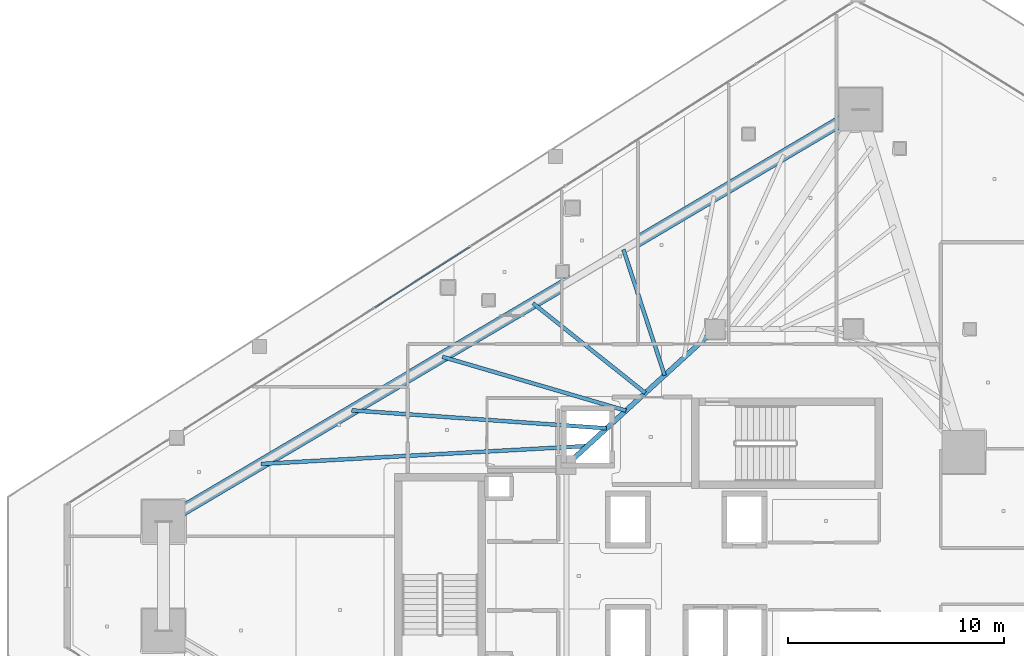
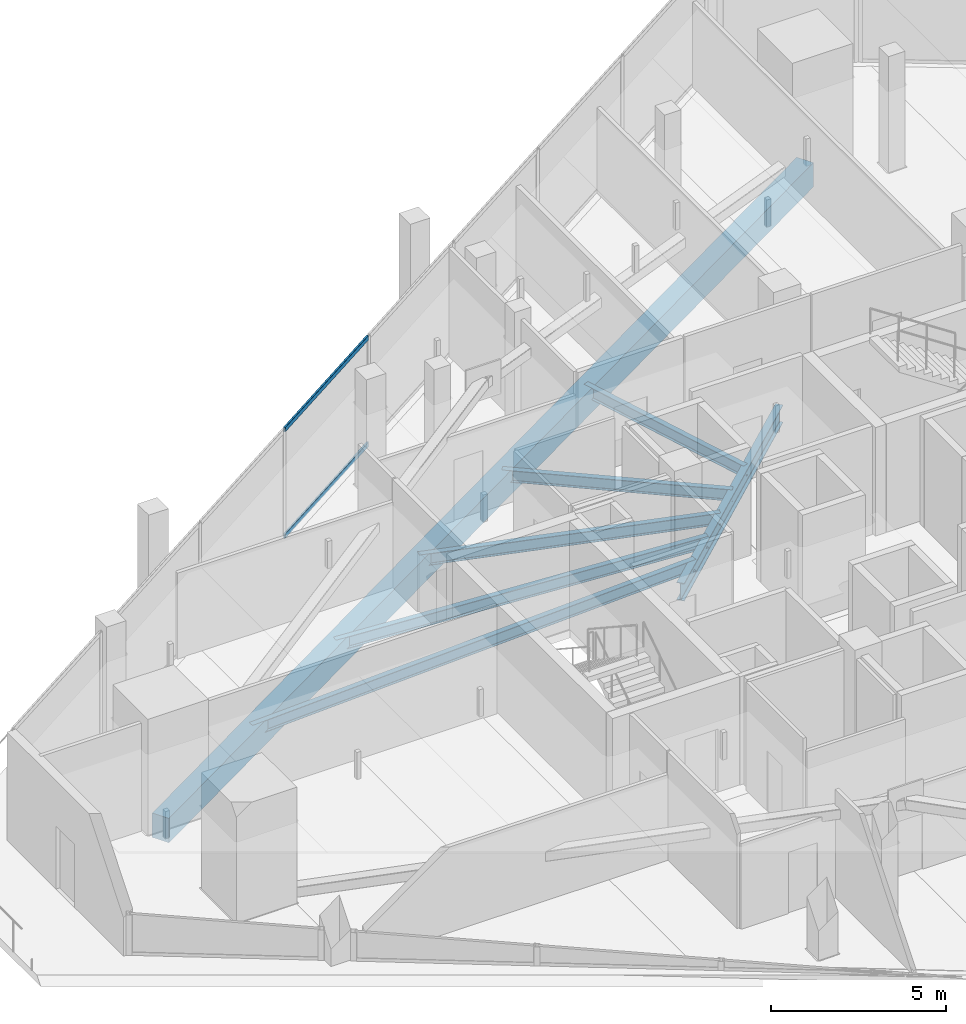
# One storey, part 19 of 43: 7 beams, 2 members, 1 element without a shape of its own.
"""IFC4 building model written with IfcOpenShell, lengths in metres."""

from ifc_helpers import new_model, si_unit, direction, frame, origin, origin_2d, place, context, subcontext, project, spatial, rectangle, hollow_rectangle, i_section, extrude, material, layer, layer_set, material_profile, profile_set, type_object, element, aggregate, save


model = new_model("IFC4")

# Units and contexts
model_context = context("Model", 3, precision=1e-05, world=origin(), true_north=direction((0.0, 1.0)))
body_context = subcontext(model_context, "Body", "Model", "MODEL_VIEW")
ifc_project = project(units=[si_unit("LENGTHUNIT", "METRE"), si_unit("AREAUNIT", "SQUARE_METRE"), si_unit("VOLUMEUNIT", "CUBIC_METRE"), si_unit("PLANEANGLEUNIT", "RADIAN"), si_unit("MASSUNIT", "GRAM", prefix="KILO")], contexts=[model_context])

# Site, building, storey
site_placement = place(None, origin())
site = spatial("IfcSite", under=ifc_project, at=site_placement, CompositionType="ELEMENT")
building_placement = place(site_placement, origin())
building = spatial("IfcBuilding", under=site, at=building_placement, Name="Qorvath Tower", CompositionType="ELEMENT")
storey_placement = place(building_placement, frame((0.0, 0.0, 213.14990234375)))
storey = spatial("IfcBuildingStorey", under=building, at=storey_placement, Name="L49", CompositionType="ELEMENT", Elevation=213.14990234375)

# Beams
ifc_material_1 = material(Name="Steel ASTM A992 Grade 50", Category="steel")
ifc_material_profile_1 = material_profile(ifc_material_1, i_section(OverallWidth=0.22998046875, OverallDepth=0.616943359375, WebThickness=0.01318359375, FlangeThickness=0.022216796875, FilletRadius=0.014892578125, at=origin_2d()), Name="W24x94")
ifc_profile_set_1 = profile_set([ifc_material_profile_1], Name="Steel ASTM A992 Grade 50")
beam_type_1 = type_object("IfcBeamType", Name="BM-FG6", PredefinedType="BEAM", material=ifc_profile_set_1)
beam_1_placement = place(storey_placement, frame((-30.5, 5.14990234375, -0.57861328125), z_axis=(0.73847813985, 0.6742774184, 0.0), x_axis=(-0.6742774184, 0.73847813985, 0.0)))
element("IfcBeam", 1, at=beam_1_placement, inside=storey, type_object=beam_type_1, Name="Core Ring Girder CC5-CC1 L49", PredefinedType="BEAM", context=body_context, shape_type="SweptSolid", body=[
    extrude(i_section(OverallWidth=0.22998046875, OverallDepth=0.616943359375, WebThickness=0.01318359375, FlangeThickness=0.022216796875, FilletRadius=0.014892578125, at=origin_2d()), origin(), (0.0, 0.0, 1.0), 9.343505859375),
])
ifc_material_2 = material(Name="Steel ASTM A992 Grade 50", Category="steel")
ifc_material_profile_2 = material_profile(ifc_material_2, i_section(OverallWidth=0.177978515625, OverallDepth=0.406005859375, WebThickness=0.0078125, FlangeThickness=0.0126953125, FilletRadius=0.010986328125, at=origin_2d()), Name="W16x40")
ifc_profile_set_2 = profile_set([ifc_material_profile_2], Name="Steel ASTM A992 Grade 50")
beam_type_2 = type_object("IfcBeamType", Name="BM-FJ3", PredefinedType="JOIST", material=ifc_profile_set_2)
beam_2_placement = place(storey_placement, frame((-29.533935546875, 6.031982421875, -0.472900390625), z_axis=(-0.998494745044, -0.054847462293, 0.0), x_axis=(0.054847462293, -0.998494745044, 0.0)))
element("IfcBeam", 2, at=beam_2_placement, inside=storey, type_object=beam_type_2, Name="Composite Floor Joist NW1 L49", PredefinedType="JOIST", context=body_context, shape_type="SweptSolid", body=[
    extrude(i_section(OverallWidth=0.177978515625, OverallDepth=0.406005859375, WebThickness=0.0078125, FlangeThickness=0.0126953125, FilletRadius=0.010986328125, at=origin_2d()), origin(), (0.0, 0.0, 1.0), 15.138671875),
])
beam_3_placement = place(storey_placement, frame((-28.636962890625, 6.85107421875, -0.472900390625), z_axis=(-0.997520476731, 0.070376832146, 0.0), x_axis=(-0.070376832146, -0.997520476731, 0.0)))
element("IfcBeam", 3, at=beam_3_placement, inside=storey, type_object=beam_type_2, Name="Composite Floor Joist NW2 L49", PredefinedType="JOIST", context=body_context, shape_type="SweptSolid", body=[
    extrude(i_section(OverallWidth=0.177978515625, OverallDepth=0.406005859375, WebThickness=0.0078125, FlangeThickness=0.0126953125, FilletRadius=0.010986328125, at=origin_2d()), origin(), (0.0, 0.0, 1.0), 11.84326171875),
])
beam_4_placement = place(storey_placement, frame((-27.739990234375, 7.669921875, -0.472900390625), z_axis=(-0.959544992264, 0.281555337049, 0.0), x_axis=(-0.281555337049, -0.959544992264, 0.0)))
element("IfcBeam", 4, at=beam_4_placement, inside=storey, type_object=beam_type_2, Name="Composite Floor Joist NW3 L49", PredefinedType="JOIST", context=body_context, shape_type="SweptSolid", body=[
    extrude(i_section(OverallWidth=0.177978515625, OverallDepth=0.406005859375, WebThickness=0.0078125, FlangeThickness=0.0126953125, FilletRadius=0.010986328125, at=origin_2d()), origin(), (0.0, 0.0, 1.0), 8.87060546875),
])
beam_5_placement = place(storey_placement, frame((-26.843017578125, 8.489013671875, -0.472900390625), z_axis=(-0.781336553339, 0.624109918537, 0.0), x_axis=(-0.624109918537, -0.781336553339, 0.0)))
element("IfcBeam", 5, at=beam_5_placement, inside=storey, type_object=beam_type_2, Name="Composite Floor Joist NW4 L49", PredefinedType="JOIST", context=body_context, shape_type="SweptSolid", body=[
    extrude(i_section(OverallWidth=0.177978515625, OverallDepth=0.406005859375, WebThickness=0.0078125, FlangeThickness=0.0126953125, FilletRadius=0.010986328125, at=origin_2d()), origin(), (0.0, 0.0, 1.0), 6.667724609375),
])
beam_6_placement = place(storey_placement, frame((-25.946044921875, 9.30810546875, -0.472900390625), z_axis=(-0.311228747452, 0.950335028692, 0.0), x_axis=(-0.950335028692, -0.311228747452, 0.0)))
element("IfcBeam", 6, at=beam_6_placement, inside=storey, type_object=beam_type_2, Name="Composite Floor Joist NW5 L49", PredefinedType="JOIST", context=body_context, shape_type="SweptSolid", body=[
    extrude(i_section(OverallWidth=0.177978515625, OverallDepth=0.406005859375, WebThickness=0.0078125, FlangeThickness=0.0126953125, FilletRadius=0.010986328125, at=origin_2d()), origin(), (0.0, 0.0, 1.0), 6.129638671875),
])
ifc_material_3 = material(Name="Concrete C50/60", Category="concrete")
ifc_material_profile_3 = material_profile(ifc_material_3, rectangle(XDim=0.550048828125, YDim=0.85009765625, at=origin_2d()), Name="RCB 850x550")
ifc_profile_set_3 = profile_set([ifc_material_profile_3], Name="Concrete C50/60")
beam_type_3 = type_object("IfcBeamType", Name="BM-RCB2", PredefinedType="SPANDREL", material=ifc_profile_set_3)
beam_7_placement = place(storey_placement, frame((-16.87158203125, 21.627197265625, -0.695068359375), z_axis=(-0.860776759786, -0.50898268125, 0.0), x_axis=(0.50898268125, -0.860776759786, 0.0)))
element("IfcBeam", 7, at=beam_7_placement, inside=storey, type_object=beam_type_3, Name="Perimeter Loggia Frame Beam MC6-MC1 L49", PredefinedType="SPANDREL", context=body_context, shape_type="SweptSolid", body=[
    extrude(rectangle(XDim=0.550048828125, YDim=0.85009765625, at=origin_2d()), origin(), (0.0, 0.0, 1.0), 37.524658203125),
])

# Curtain wall, members
ifc_material_4 = material(Name="Anodised aluminium and triple low-E glass", Category="aluminium")
ifc_layer = layer(ifc_material_4, 0.179931640625)
ifc_layer_set = layer_set([ifc_layer], Name="CW-SYS-3")
curtain_wall_type = type_object("IfcCurtainWallType", Name="CW-SYS-3", PredefinedType="NOTDEFINED", material=ifc_layer_set)
curtain_wall_placement = place(storey_placement, origin())
curtain_wall = element("IfcCurtainWall", 8, at=curtain_wall_placement, inside=storey, type_object=curtain_wall_type, Name="Curtain Wall CW-3 CW-T-L49-16.1", PredefinedType="NOTDEFINED")
ifc_material_5 = material(Name="Anodised aluminium 6063-T6", Category="aluminium")
ifc_material_profile_4 = material_profile(ifc_material_5, hollow_rectangle(XDim=0.06494140625, YDim=0.159912109375, WallThickness=0.00341796875, InnerFilletRadius=0.00341796875, OuterFilletRadius=0.007080078125, at=origin_2d()), Name="CWT 160x65")
ifc_profile_set_4 = profile_set([ifc_material_profile_4], Name="Anodised aluminium 6063-T6")
member_type = type_object("IfcMemberType", Name="CWT-160", PredefinedType="USERDEFINED", material=ifc_profile_set_4)
member_1_placement = place(storey_placement, frame((-34.993896484375, 15.24755859375, 0.032470703125), z_axis=(-0.84262316261, -0.538503672999, 0.0), x_axis=(0.538503672999, -0.84262316261, 0.0)))
member_1 = element("IfcMember", 9, at=member_1_placement, type_object=member_type, Name="CW-3 transom 5.1", ObjectType="TRANSOM", PredefinedType="USERDEFINED", context=body_context, shape_type="SweptSolid", body=[
    extrude(hollow_rectangle(XDim=0.06494140625, YDim=0.159912109375, WallThickness=0.00341796875, InnerFilletRadius=0.00341796875, OuterFilletRadius=0.007080078125, at=origin_2d()), origin(), (0.0, 0.0, 1.0), 5.177978515625),
])
member_2_placement = place(storey_placement, frame((-34.993896484375, 15.24755859375, 3.74755859375), z_axis=(-0.84262316261, -0.538503672999, 0.0), x_axis=(0.538503672999, -0.84262316261, 0.0)))
member_2 = element("IfcMember", 10, at=member_2_placement, type_object=member_type, Name="CW-3 transom 5.2", ObjectType="TRANSOM", PredefinedType="USERDEFINED", context=body_context, shape_type="SweptSolid", body=[
    extrude(hollow_rectangle(XDim=0.06494140625, YDim=0.159912109375, WallThickness=0.00341796875, InnerFilletRadius=0.00341796875, OuterFilletRadius=0.007080078125, at=origin_2d()), origin(), (0.0, 0.0, 1.0), 5.177978515625),
])
aggregate(curtain_wall, [member_1, member_2])

save(model, "model.ifc")
